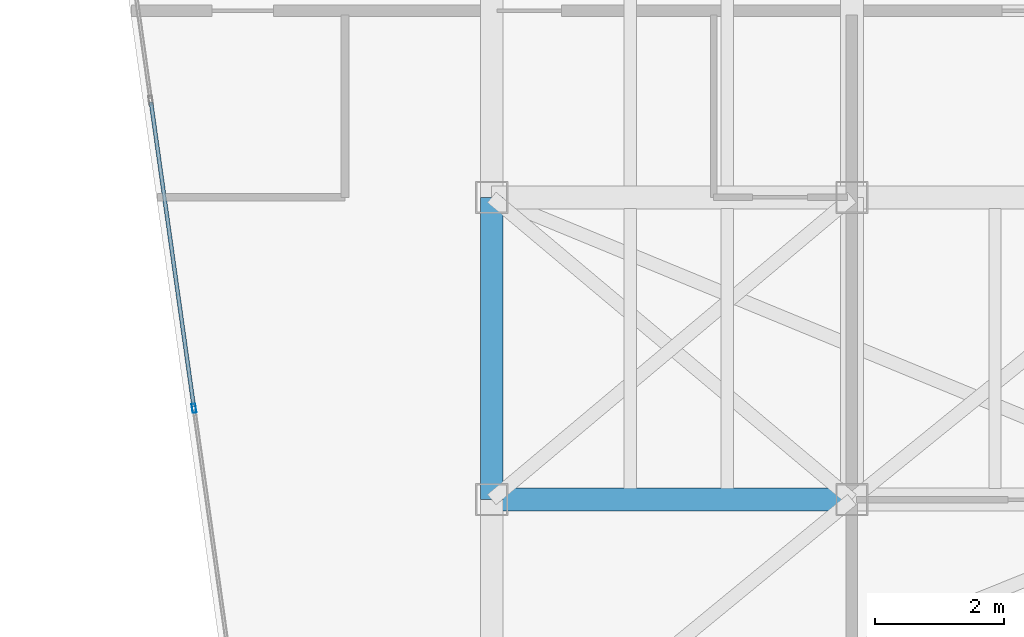
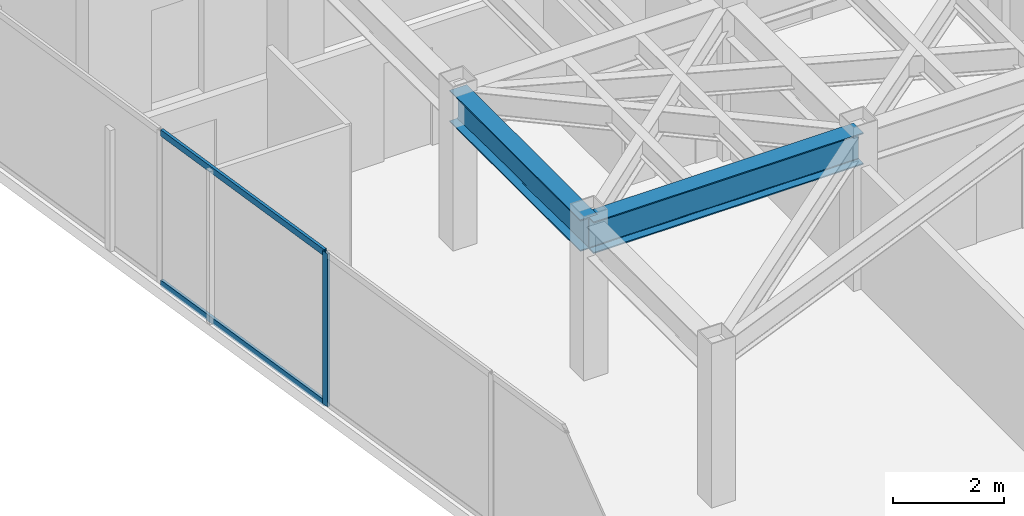
# One storey, part 5 of 20: 3 members, 2 beams, 1 element without a shape of its own.
"""IFC4 building model written with IfcOpenShell, lengths in metres."""

from ifc_helpers import new_model, si_unit, direction, frame, origin, origin_2d, place, context, subcontext, project, spatial, hollow_rectangle, i_section, extrude, material, layer, layer_set, material_profile, profile_set, type_object, element, aggregate, save


model = new_model("IFC4")

# Units and contexts
model_context = context("Model", 3, precision=1e-05, world=origin(), true_north=direction((0.0, 1.0)))
body_context = subcontext(model_context, "Body", "Model", "MODEL_VIEW")
ifc_project = project(units=[si_unit("LENGTHUNIT", "METRE"), si_unit("AREAUNIT", "SQUARE_METRE"), si_unit("VOLUMEUNIT", "CUBIC_METRE"), si_unit("PLANEANGLEUNIT", "RADIAN"), si_unit("MASSUNIT", "GRAM", prefix="KILO")], contexts=[model_context])

# Site, building, storey
site_placement = place(None, origin())
site = spatial("IfcSite", under=ifc_project, at=site_placement, CompositionType="ELEMENT")
building_placement = place(site_placement, origin())
building = spatial("IfcBuilding", under=site, at=building_placement, Name="Kravanh Interchange Tower", CompositionType="ELEMENT")
storey_placement = place(building_placement, frame((0.0, 0.0, 234.60009765625)))
storey = spatial("IfcBuildingStorey", under=building, at=storey_placement, Name="L56", CompositionType="ELEMENT", Elevation=234.60009765625)

# Curtain wall, members
ifc_material_1 = material(Name="Anodised Bronze Aluminium", Category="aluminium")
ifc_layer = layer(ifc_material_1, 0.179931640625)
ifc_layer_set = layer_set([ifc_layer], Name="Unitised Curtain Wall System CW-HTL Luxury Hotel")
curtain_wall_type = type_object("IfcCurtainWallType", Name="Unitised Curtain Wall System CW-HTL Luxury Hotel", PredefinedType="NOTDEFINED", material=ifc_layer_set)
curtain_wall_placement = place(storey_placement, origin())
curtain_wall = element("IfcCurtainWall", 1, at=curtain_wall_placement, inside=storey, type_object=curtain_wall_type, Name="L56 Unitised Curtain Wall CW-L56-01", PredefinedType="NOTDEFINED")
ifc_material_2 = material(Name="Anodised Bronze Aluminium", Category="aluminium")
ifc_material_profile_1 = material_profile(ifc_material_2, hollow_rectangle(XDim=0.06005859375, YDim=0.139892578125, WallThickness=0.00390625, at=origin_2d()), Name="ALU60X140X4")
ifc_profile_set_1 = profile_set([ifc_material_profile_1], Name="Anodised Bronze Aluminium")
member_type_1 = type_object("IfcMemberType", Name="Curtain Wall Mullion ALU60X140X4 Bronze", PredefinedType="MULLION", material=ifc_profile_set_1)
member_1_placement = place(storey_placement, frame((22.5712890625, 28.220703125, 0.0), z_axis=(0.0, 0.0, 1.0), x_axis=(-0.990267623707, -0.13917626751, 0.0)))
member_1 = element("IfcMember", 2, at=member_1_placement, type_object=member_type_1, Name="CW-HTL mullion 3", PredefinedType="MULLION", context=body_context, shape_type="SweptSolid", body=[
    extrude(hollow_rectangle(XDim=0.06005859375, YDim=0.139892578125, WallThickness=0.00390625, at=origin_2d()), origin(), (0.0, 0.0, 1.0), 3.35986328125),
])
ifc_material_3 = material(Name="Anodised Bronze Aluminium", Category="aluminium")
ifc_material_profile_2 = material_profile(ifc_material_3, hollow_rectangle(XDim=0.06005859375, YDim=0.139892578125, WallThickness=0.00390625, at=origin_2d()), Name="ALU60X140X4")
ifc_profile_set_2 = profile_set([ifc_material_profile_2], Name="Anodised Bronze Aluminium")
member_type_2 = type_object("IfcMemberType", Name="Curtain Wall Transom ALU60X140X4 Bronze", PredefinedType="USERDEFINED", material=ifc_profile_set_2)
member_2_placement = place(storey_placement, frame((22.567138671875, 28.25048828125, 0.02978515625), z_axis=(-0.139174169915, 0.990267918509, 0.0), x_axis=(-0.990267918509, -0.139174169915, 0.0)))
member_2 = element("IfcMember", 3, at=member_2_placement, type_object=member_type_2, Name="CW-HTL transom 3.1", ObjectType="TRANSOM", PredefinedType="USERDEFINED", context=body_context, shape_type="SweptSolid", body=[
    extrude(hollow_rectangle(XDim=0.06005859375, YDim=0.139892578125, WallThickness=0.00390625, at=origin_2d()), origin(), (0.0, 0.0, 1.0), 4.776611328125),
])
member_3_placement = place(storey_placement, frame((22.567138671875, 28.25048828125, 3.329833984375), z_axis=(-0.139174169915, 0.990267918509, 0.0), x_axis=(-0.990267918509, -0.139174169915, 0.0)))
member_3 = element("IfcMember", 4, at=member_3_placement, type_object=member_type_2, Name="CW-HTL transom 3.2", ObjectType="TRANSOM", PredefinedType="USERDEFINED", context=body_context, shape_type="SweptSolid", body=[
    extrude(hollow_rectangle(XDim=0.06005859375, YDim=0.139892578125, WallThickness=0.00390625, at=origin_2d()), origin(), (0.0, 0.0, 1.0), 4.776611328125),
])
aggregate(curtain_wall, [member_1, member_2, member_3])

# Beams
ifc_material_4 = material(Name="Structural Steel S355", Category="steel")
ifc_material_profile_3 = material_profile(ifc_material_4, i_section(OverallWidth=0.35498046875, OverallDepth=0.696044921875, WebThickness=0.015380859375, FlangeThickness=0.02490234375, FilletRadius=0.02392578125, at=origin_2d()), Name="W27X146")
ifc_profile_set_3 = profile_set([ifc_material_profile_3], Name="Structural Steel S355")
beam_type = type_object("IfcBeamType", Name="Floor Beam W27X146 Structural Steel S355", PredefinedType="BEAM", material=ifc_profile_set_3)
beam_1_placement = place(storey_placement, frame((27.199951171875, 31.5, 3.011962890625), z_axis=(0.0, -1.0, 0.0), x_axis=(1.0, 0.0, 0.0)))
element("IfcBeam", 5, at=beam_1_placement, inside=storey, type_object=beam_type, Name="L56 Primary Floor Girder 25", PredefinedType="BEAM", context=body_context, shape_type="SweptSolid", body=[
    extrude(i_section(OverallWidth=0.35498046875, OverallDepth=0.696044921875, WebThickness=0.015380859375, FlangeThickness=0.02490234375, FilletRadius=0.02392578125, at=origin_2d()), origin(), (0.0, 0.0, 1.0), 4.699951171875),
])
beam_2_placement = place(storey_placement, frame((27.199951171875, 26.800048828125, 3.011962890625), z_axis=(1.0, 0.0, 0.0), x_axis=(0.0, 1.0, 0.0)))
element("IfcBeam", 6, at=beam_2_placement, inside=storey, type_object=beam_type, Name="L56 Primary Floor Girder 42", PredefinedType="BEAM", context=body_context, shape_type="SweptSolid", body=[
    extrude(i_section(OverallWidth=0.35498046875, OverallDepth=0.696044921875, WebThickness=0.015380859375, FlangeThickness=0.02490234375, FilletRadius=0.02392578125, at=origin_2d()), origin(), (0.0, 0.0, 1.0), 5.60009765625),
])

save(model, "model.ifc")
